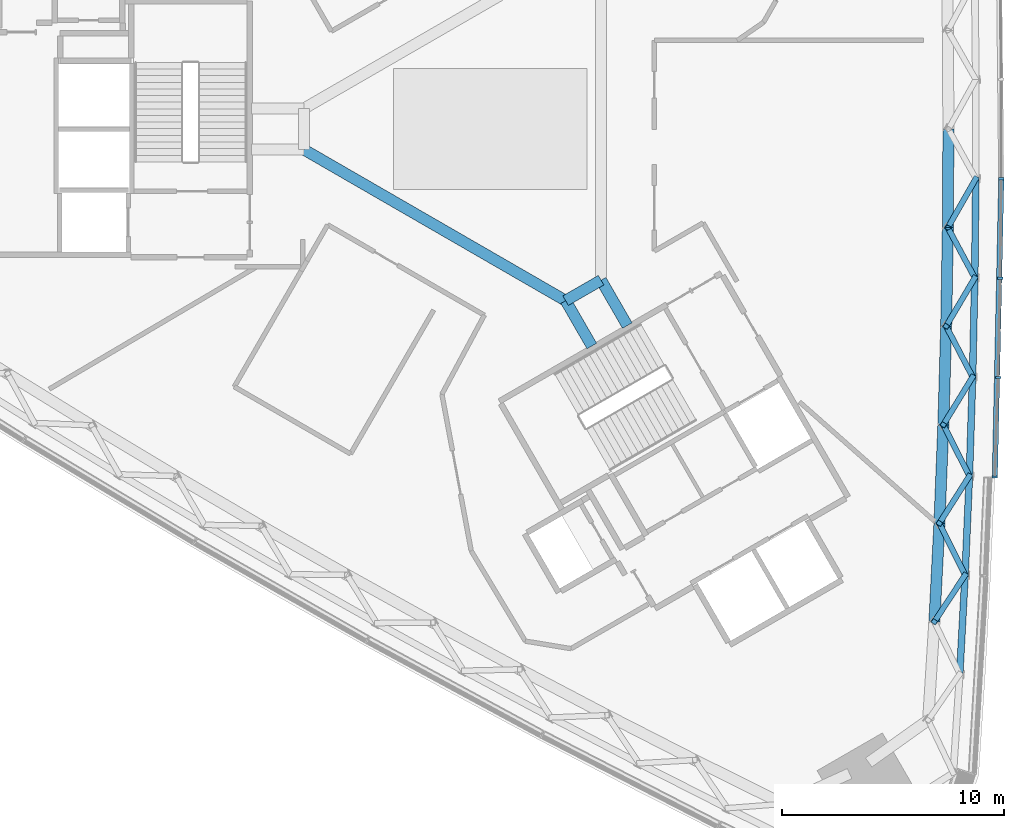
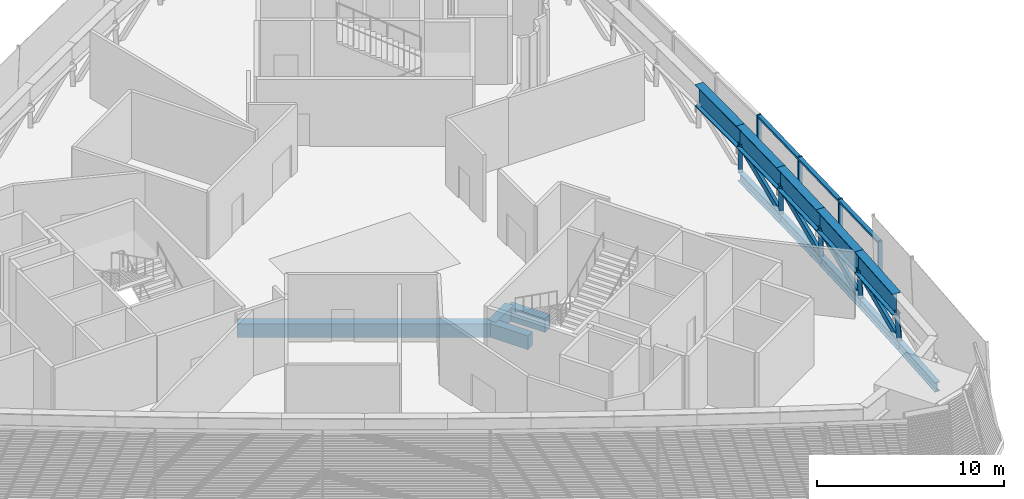
# One storey, part 2 of 19: 14 beams, 14 members, 1 element without a shape of its own.
"""IFC4 building model written with IfcOpenShell, lengths in metres."""

from ifc_helpers import new_model, si_unit, direction, frame, origin, origin_2d, place, context, subcontext, project, spatial, rectangle, hollow_rectangle, i_section, extrude, material, material_profile, profile_set, type_object, element, aggregate, save


model = new_model("IFC4")

# Units and contexts
model_context = context("Model", 3, precision=1e-05, world=origin(), true_north=direction((0.0, 1.0)))
body_context = subcontext(model_context, "Body", "Model", "MODEL_VIEW")
ifc_project = project(units=[si_unit("LENGTHUNIT", "METRE"), si_unit("AREAUNIT", "SQUARE_METRE"), si_unit("VOLUMEUNIT", "CUBIC_METRE"), si_unit("PLANEANGLEUNIT", "RADIAN"), si_unit("MASSUNIT", "GRAM", prefix="KILO")], contexts=[model_context])

# Site, building, storey
site_placement = place(None, origin())
site = spatial("IfcSite", under=ifc_project, at=site_placement, CompositionType="ELEMENT")
building_placement = place(site_placement, origin())
building = spatial("IfcBuilding", under=site, at=building_placement, Name="Tamra Quay Hotel Tower", CompositionType="ELEMENT")
storey_placement = place(building_placement, frame((0.0, 0.0, 74.60009765625)))
storey = spatial("IfcBuildingStorey", under=building, at=storey_placement, Name="L17", CompositionType="ELEMENT", Elevation=74.60009765625)

# Beams
ifc_material_1 = material(Name="Concrete M60", Category="concrete")
ifc_material_profile_1 = material_profile(ifc_material_1, rectangle(XDim=0.5, YDim=0.89990234375, at=origin_2d()), Name="ATRIUM EDGE BEAM RC 500x900")
ifc_profile_set_1 = profile_set([ifc_material_profile_1], Name="Concrete M60")
beam_type_1 = type_object("IfcBeamType", Name="ATRIUM EDGE BEAM RC 500x900", PredefinedType="BEAM", material=ifc_profile_set_1)
beam_1_placement = place(storey_placement, frame((5.0, -6.812744140625, -0.85009765625), z_axis=(-0.86602275259, -0.500004591975, 0.0), x_axis=(0.500004591975, -0.86602275259, 0.0)))
element("IfcBeam", 1, at=beam_1_placement, inside=storey, type_object=beam_type_1, Name="BM-AB1-L17", PredefinedType="BEAM", context=body_context, shape_type="SweptSolid", body=[
    extrude(rectangle(XDim=0.5, YDim=0.89990234375, at=origin_2d()), origin(), (0.0, 0.0, 1.0), 1.84765625),
])
beam_2_placement = place(storey_placement, frame((3.39990234375, -7.736572265625, -0.85009765625), z_axis=(-0.866021471679, 0.500006810544, 0.0), x_axis=(-0.500006810544, -0.866021471679, 0.0)))
element("IfcBeam", 2, at=beam_2_placement, inside=storey, type_object=beam_type_1, Name="BM-AB2-L17", PredefinedType="BEAM", context=body_context, shape_type="SweptSolid", body=[
    extrude(rectangle(XDim=0.5, YDim=0.89990234375, at=origin_2d()), origin(), (0.0, 0.0, 1.0), 13.625244140625),
])
ifc_material_profile_2 = material_profile(ifc_material_1, rectangle(XDim=0.5, YDim=0.89990234375, at=origin_2d()), Name="ATRIUM TIE BEAM RC 500x900")
ifc_profile_set_2 = profile_set([ifc_material_profile_2], Name="Concrete M60")
beam_type_2 = type_object("IfcBeamType", Name="ATRIUM TIE BEAM RC 500x900", PredefinedType="BEAM", material=ifc_profile_set_2)
for number, where, z_axis, x_axis, name in (
    (3, (5.0, -6.812744140625, -0.85009765625), (0.500029618126, -0.866008303076, 0.0), (0.866008303076, 0.500029618126, 0.0), "BM-TIE-1-L17"),
    (4, (3.39990234375, -7.736572265625, -0.85009765625), (0.500029618126, -0.866008303076, 0.0), (0.866008303076, 0.500029618126, 0.0), "BM-TIE-2-L17"),
):
    element("IfcBeam", number, at=place(storey_placement, frame(where, z_axis=z_axis, x_axis=x_axis)), inside=storey, type_object=beam_type_2, Name=name, PredefinedType="BEAM", context=body_context, shape_type="SweptSolid", body=[
        extrude(rectangle(XDim=0.5, YDim=0.89990234375, at=origin_2d()), origin(), (0.0, 0.0, 1.0), 2.362060546875),
    ])

# Members
ifc_material_2 = material(Name="Structural steel IS 2062 E350", Category="steel")
ifc_material_profile_3 = material_profile(ifc_material_2, hollow_rectangle(XDim=0.25, YDim=0.25, WallThickness=0.010009765625, at=origin_2d()), Name="SHS 250x250x10")
ifc_profile_set_3 = profile_set([ifc_material_profile_3], Name="Structural steel IS 2062 E350")
member_type_1 = type_object("IfcMemberType", Name="BELT BRACE SHS 250x250x10 Z1", PredefinedType="BRACE", material=ifc_profile_set_3)
member_1_placement = place(storey_placement, frame((21.410400390625, -20.10888671875, -0.400146484375), z_axis=(-0.319796440326, -0.485470719543, 0.813663577421), x_axis=(0.835094837295, -0.550106001352, 0.0)))
element("IfcMember", 5, at=member_1_placement, inside=storey, type_object=member_type_1, Name="BR-L17-003", PredefinedType="BRACE", context=body_context, shape_type="SweptSolid", body=[
    extrude(hollow_rectangle(XDim=0.25, YDim=0.25, WallThickness=0.010009765625, at=origin_2d()), origin(), (0.0, 0.0, 1.0), 4.33251953125),
])
member_2_placement = place(storey_placement, frame((21.410400390625, -20.10888671875, -0.400146484375), z_axis=(-0.264005093933, 0.532743457848, 0.804043356106), x_axis=(-0.896013686548, -0.444026433357, 0.0)))
element("IfcMember", 6, at=member_2_placement, inside=storey, type_object=member_type_1, Name="BR-L17-004", PredefinedType="BRACE", context=body_context, shape_type="SweptSolid", body=[
    extrude(hollow_rectangle(XDim=0.25, YDim=0.25, WallThickness=0.010009765625, at=origin_2d()), origin(), (0.0, 0.0, 1.0), 4.38427734375),
])
member_3_placement = place(storey_placement, frame((21.60400390625, -15.642578125, -0.400146484375), z_axis=(-0.311671830578, -0.491499831126, 0.81319652362), x_axis=(0.844517118133, -0.535528558697, 0.0)))
element("IfcMember", 7, at=member_3_placement, inside=storey, type_object=member_type_1, Name="BR-L17-005", PredefinedType="BRACE", context=body_context, shape_type="SweptSolid", body=[
    extrude(hollow_rectangle(XDim=0.25, YDim=0.25, WallThickness=0.010009765625, at=origin_2d()), origin(), (0.0, 0.0, 1.0), 4.3349609375),
])
member_4_placement = place(storey_placement, frame((21.60400390625, -15.642578125, -0.400146484375), z_axis=(-0.268226137414, 0.528138213153, 0.805682795532), x_axis=(-0.891602412155, -0.452819101451, 0.0)))
element("IfcMember", 8, at=member_4_placement, inside=storey, type_object=member_type_1, Name="BR-L17-006", PredefinedType="BRACE", context=body_context, shape_type="SweptSolid", body=[
    extrude(hollow_rectangle(XDim=0.25, YDim=0.25, WallThickness=0.010009765625, at=origin_2d()), origin(), (0.0, 0.0, 1.0), 4.375244140625),
])
member_5_placement = place(storey_placement, frame((21.7490234375, -11.17431640625, -0.400146484375), z_axis=(-0.303951163752, -0.497318354763, 0.812581161528), x_axis=(0.853255578319, -0.521492970295, 0.0)))
element("IfcMember", 9, at=member_5_placement, inside=storey, type_object=member_type_1, Name="BR-L17-007", PredefinedType="BRACE", context=body_context, shape_type="SweptSolid", body=[
    extrude(hollow_rectangle(XDim=0.25, YDim=0.25, WallThickness=0.010009765625, at=origin_2d()), origin(), (0.0, 0.0, 1.0), 4.338134765625),
])
member_6_placement = place(storey_placement, frame((21.7490234375, -11.17431640625, -0.400146484375), z_axis=(-0.272882971631, 0.523347161941, 0.807243849083), x_axis=(-0.88670135679, -0.462342626054, 0.0)))
element("IfcMember", 10, at=member_6_placement, inside=storey, type_object=member_type_1, Name="BR-L17-008", PredefinedType="BRACE", context=body_context, shape_type="SweptSolid", body=[
    extrude(hollow_rectangle(XDim=0.25, YDim=0.25, WallThickness=0.010009765625, at=origin_2d()), origin(), (0.0, 0.0, 1.0), 4.366943359375),
])
member_7_placement = place(storey_placement, frame((21.845947265625, -6.70556640625, -0.400146484375), z_axis=(-0.296760826542, -0.50282911553, 0.811847210012), x_axis=(0.861200552593, -0.508265293144, 0.0)))
element("IfcMember", 11, at=member_7_placement, inside=storey, type_object=member_type_1, Name="BR-L17-009", PredefinedType="BRACE", context=body_context, shape_type="SweptSolid", body=[
    extrude(hollow_rectangle(XDim=0.25, YDim=0.25, WallThickness=0.010009765625, at=origin_2d()), origin(), (0.0, 0.0, 1.0), 4.342041015625),
])
member_8_placement = place(storey_placement, frame((21.845947265625, -6.70556640625, -0.400146484375), z_axis=(-0.278089055665, 0.518547051038, 0.808563808848), x_axis=(-0.881270491387, -0.472612231126, 0.0)))
element("IfcMember", 12, at=member_8_placement, inside=storey, type_object=member_type_1, Name="BR-L17-010", PredefinedType="BRACE", context=body_context, shape_type="SweptSolid", body=[
    extrude(hollow_rectangle(XDim=0.25, YDim=0.25, WallThickness=0.010009765625, at=origin_2d()), origin(), (0.0, 0.0, 1.0), 4.35986328125),
])
member_9_placement = place(storey_placement, frame((21.894287109375, -2.2353515625, -0.400146484375), z_axis=(-0.29001438183, -0.50825525863, 0.810905820923), x_axis=(0.868550087417, -0.495601397947, 0.0)))
element("IfcMember", 13, at=member_9_placement, inside=storey, type_object=member_type_1, Name="BR-L17-011", PredefinedType="BRACE", context=body_context, shape_type="SweptSolid", body=[
    extrude(hollow_rectangle(XDim=0.25, YDim=0.25, WallThickness=0.010009765625, at=origin_2d()), origin(), (0.0, 0.0, 1.0), 4.34716796875),
])

# Beams
ifc_material_profile_4 = material_profile(ifc_material_2, i_section(OverallWidth=0.304931640625, OverallDepth=0.6201171875, WebThickness=0.02099609375, FlangeThickness=0.0400390625, at=origin_2d()), Name="WPB 600x300x285")
ifc_profile_set_4 = profile_set([ifc_material_profile_4], Name="Structural steel IS 2062 E350")
beam_type_3 = type_object("IfcBeamType", Name="BELT CHORD WPB 600x300x285 Z1", PredefinedType="BEAM", material=ifc_profile_set_4)
beam_3_placement = place(storey_placement, frame((21.168701171875, -24.572509765625, -0.710205078125), z_axis=(0.054069452794, 0.998537177212, 0.0), x_axis=(-0.998537177212, 0.054069452794, 0.0)))
element("IfcBeam", 14, at=beam_3_placement, inside=storey, type_object=beam_type_3, Name="BM-CHB-L17-001", PredefinedType="BEAM", context=body_context, shape_type="SweptSolid", body=[
    extrude(i_section(OverallWidth=0.304931640625, OverallDepth=0.6201171875, WebThickness=0.02099609375, FlangeThickness=0.0400390625, at=origin_2d()), origin(), (0.0, 0.0, 1.0), 4.47021484375),
])
beam_4_placement = place(storey_placement, frame((21.410400390625, -20.10888671875, -0.710205078125), z_axis=(0.043306877716, 0.999061817078, 0.0), x_axis=(-0.999061817078, 0.043306877716, 0.0)))
element("IfcBeam", 15, at=beam_4_placement, inside=storey, type_object=beam_type_3, Name="BM-CHB-L17-002", PredefinedType="BEAM", context=body_context, shape_type="SweptSolid", body=[
    extrude(i_section(OverallWidth=0.304931640625, OverallDepth=0.6201171875, WebThickness=0.02099609375, FlangeThickness=0.0400390625, at=origin_2d()), origin(), (0.0, 0.0, 1.0), 4.470458984375),
])
beam_5_placement = place(storey_placement, frame((21.60400390625, -15.642578125, -0.710205078125), z_axis=(0.032438389234, 0.999473736976, 0.0), x_axis=(-0.999473736976, 0.032438389234, 0.0)))
element("IfcBeam", 16, at=beam_5_placement, inside=storey, type_object=beam_type_3, Name="BM-CHB-L17-003", PredefinedType="BEAM", context=body_context, shape_type="SweptSolid", body=[
    extrude(i_section(OverallWidth=0.304931640625, OverallDepth=0.6201171875, WebThickness=0.02099609375, FlangeThickness=0.0400390625, at=origin_2d()), origin(), (0.0, 0.0, 1.0), 4.470703125),
])
beam_6_placement = place(storey_placement, frame((21.7490234375, -11.17431640625, -0.710205078125), z_axis=(0.021684148485, 0.999764871209, 0.0), x_axis=(-0.999764871209, 0.021684148485, 0.0)))
element("IfcBeam", 17, at=beam_6_placement, inside=storey, type_object=beam_type_3, Name="BM-CHB-L17-004", PredefinedType="BEAM", context=body_context, shape_type="SweptSolid", body=[
    extrude(i_section(OverallWidth=0.304931640625, OverallDepth=0.6201171875, WebThickness=0.02099609375, FlangeThickness=0.0400390625, at=origin_2d()), origin(), (0.0, 0.0, 1.0), 4.4697265625),
])
beam_7_placement = place(storey_placement, frame((21.845947265625, -6.70556640625, -0.710205078125), z_axis=(0.010813130759, 0.999941536393, 0.0), x_axis=(-0.999941536393, 0.010813130759, 0.0)))
element("IfcBeam", 18, at=beam_7_placement, inside=storey, type_object=beam_type_3, Name="BM-CHB-L17-005", PredefinedType="BEAM", context=body_context, shape_type="SweptSolid", body=[
    extrude(i_section(OverallWidth=0.304931640625, OverallDepth=0.6201171875, WebThickness=0.02099609375, FlangeThickness=0.0400390625, at=origin_2d()), origin(), (0.0, 0.0, 1.0), 4.470458984375),
])
ifc_material_profile_5 = material_profile(ifc_material_2, i_section(OverallWidth=0.5, OverallDepth=1.39990234375, WebThickness=0.02490234375, FlangeThickness=0.050048828125, at=origin_2d()), Name="WPG 1400x500x25x50")
ifc_profile_set_5 = profile_set([ifc_material_profile_5], Name="Structural steel IS 2062 E350")
beam_type_4 = type_object("IfcBeamType", Name="BELT TOP CHORD WPG 1400x500x25x50 Z1", PredefinedType="USERDEFINED", material=ifc_profile_set_5)
beam_8_placement = place(storey_placement, frame((20.02490234375, -22.212158203125, 3.6748046875), z_axis=(0.051301842631, 0.998683193482, 0.0), x_axis=(-0.998683193482, 0.051301842631, 0.0)))
element("IfcBeam", 19, at=beam_8_placement, inside=storey, type_object=beam_type_4, Name="BM-CHT-L17-001", ObjectType="TRANSFER GIRDER", PredefinedType="USERDEFINED", context=body_context, shape_type="SweptSolid", body=[
    extrude(i_section(OverallWidth=0.5, OverallDepth=1.39990234375, WebThickness=0.02490234375, FlangeThickness=0.050048828125, at=origin_2d()), origin(), (0.0, 0.0, 1.0), 4.44482421875),
])
beam_9_placement = place(storey_placement, frame((20.2529296875, -17.773193359375, 3.6748046875), z_axis=(0.039930748728, 0.99920244961, 0.0), x_axis=(-0.99920244961, 0.039930748728, 0.0)))
element("IfcBeam", 20, at=beam_9_placement, inside=storey, type_object=beam_type_4, Name="BM-CHT-L17-002", ObjectType="TRANSFER GIRDER", PredefinedType="USERDEFINED", context=body_context, shape_type="SweptSolid", body=[
    extrude(i_section(OverallWidth=0.5, OverallDepth=1.39990234375, WebThickness=0.02490234375, FlangeThickness=0.050048828125, at=origin_2d()), origin(), (0.0, 0.0, 1.0), 4.445068359375),
])
beam_10_placement = place(storey_placement, frame((20.430419921875, -13.331787109375, 3.6748046875), z_axis=(0.02856291012, 0.999591996849, 0.0), x_axis=(-0.999591996849, 0.02856291012, 0.0)))
element("IfcBeam", 21, at=beam_10_placement, inside=storey, type_object=beam_type_4, Name="BM-CHT-L17-003", ObjectType="TRANSFER GIRDER", PredefinedType="USERDEFINED", context=body_context, shape_type="SweptSolid", body=[
    extrude(i_section(OverallWidth=0.5, OverallDepth=1.39990234375, WebThickness=0.02490234375, FlangeThickness=0.050048828125, at=origin_2d()), origin(), (0.0, 0.0, 1.0), 4.444580078125),
])
for number, where, z_axis, x_axis, name in (
    (22, (20.557373046875, -8.888916015625, 3.6748046875), (0.017137514712, 0.999853142011, 0.0), (-0.999853142011, 0.017137514712, 0.0), "BM-CHT-L17-004"),
    (23, (20.633544921875, -4.44482421875, 3.6748046875), (0.005712309305, 0.999983684628, 0.0), (-0.999983684628, 0.005712309305, 0.0), "BM-CHT-L17-005"),
):
    element("IfcBeam", number, at=place(storey_placement, frame(where, z_axis=z_axis, x_axis=x_axis)), inside=storey, type_object=beam_type_4, Name=name, ObjectType="TRANSFER GIRDER", PredefinedType="USERDEFINED", context=body_context, shape_type="SweptSolid", body=[
        extrude(i_section(OverallWidth=0.5, OverallDepth=1.39990234375, WebThickness=0.02490234375, FlangeThickness=0.050048828125, at=origin_2d()), origin(), (0.0, 0.0, 1.0), 4.44482421875),
    ])

# Curtain wall, members
ifc_material_3 = material(Name="Aluminium 6063 anodised dark grey", Category="aluminium")
curtain_wall_type = type_object("IfcCurtainWallType", Name="CW1 CURTAIN WALL", PredefinedType="NOTDEFINED", material=ifc_material_3)
curtain_wall_placement = place(storey_placement, origin())
curtain_wall = element("IfcCurtainWall", 24, at=curtain_wall_placement, inside=storey, type_object=curtain_wall_type, Name="CW1 east face L17", PredefinedType="NOTDEFINED")
ifc_material_profile_6 = material_profile(ifc_material_3, rectangle(XDim=0.239990234375, YDim=0.10009765625, at=origin_2d()), Name="MULLION 100X240")
ifc_profile_set_6 = profile_set([ifc_material_profile_6], Name="Aluminium 6063 anodised dark grey")
member_type_2 = type_object("IfcMemberType", Name="MULLION CW1 Z1", PredefinedType="MULLION", material=ifc_profile_set_6)
member_10_placement = place(storey_placement, frame((22.753173828125, -15.68603515625, 0.0), z_axis=(0.0, 0.0, 1.0), x_axis=(0.999282260669, -0.03788091224, 0.0)))
member_10 = element("IfcMember", 25, at=member_10_placement, type_object=member_type_2, Name="CW1 mullion L17.E.1", PredefinedType="MULLION", context=body_context, shape_type="SweptSolid", body=[
    extrude(rectangle(XDim=0.239990234375, YDim=0.10009765625, at=origin_2d()), origin(), (0.0, 0.0, 1.0), 2.875),
])
member_11_placement = place(storey_placement, frame((22.898681640625, -11.205810546875, 0.0), z_axis=(0.0, 0.0, 1.0), x_axis=(0.999633632769, -0.027066588932, 0.0)))
member_11 = element("IfcMember", 26, at=member_11_placement, type_object=member_type_2, Name="CW1 mullion L17.E.2", PredefinedType="MULLION", context=body_context, shape_type="SweptSolid", body=[
    extrude(rectangle(XDim=0.239990234375, YDim=0.10009765625, at=origin_2d()), origin(), (0.0, 0.0, 1.0), 2.875),
])
member_12_placement = place(storey_placement, frame((22.995849609375, -6.723876953125, 0.0), z_axis=(0.0, 0.0, 1.0), x_axis=(0.999868000579, -0.016247504977, 0.0)))
member_12 = element("IfcMember", 27, at=member_12_placement, type_object=member_type_2, Name="CW1 mullion L17.E.3", PredefinedType="MULLION", context=body_context, shape_type="SweptSolid", body=[
    extrude(rectangle(XDim=0.239990234375, YDim=0.10009765625, at=origin_2d()), origin(), (0.0, 0.0, 1.0), 2.875),
])
member_13_placement = place(storey_placement, frame((23.04443359375, -2.241455078125, 0.0), z_axis=(0.0, 0.0, 1.0), x_axis=(0.999985320124, -0.005418444037, 0.0)))
member_13 = element("IfcMember", 28, at=member_13_placement, type_object=member_type_2, Name="CW1 mullion L17.E.4", PredefinedType="MULLION", context=body_context, shape_type="SweptSolid", body=[
    extrude(rectangle(XDim=0.239990234375, YDim=0.10009765625, at=origin_2d()), origin(), (0.0, 0.0, 1.0), 2.875),
])
ifc_material_profile_7 = material_profile(ifc_material_3, rectangle(XDim=0.239990234375, YDim=0.139892578125, at=origin_2d()), Name="TRANSOM 240X140")
ifc_profile_set_7 = profile_set([ifc_material_profile_7], Name="Aluminium 6063 anodised dark grey")
member_type_3 = type_object("IfcMemberType", Name="TRANSOM CW1 Z1", PredefinedType="USERDEFINED", material=ifc_profile_set_7)
member_14_placement = place(storey_placement, frame((22.754638671875, -15.63623046875, 2.804931640625), z_axis=(0.021655702192, 0.999765487783, 0.0), x_axis=(-0.999765487783, 0.021655702192, 0.0)))
member_14 = element("IfcMember", 29, at=member_14_placement, type_object=member_type_3, Name="CW1 transom L17.E.1", ObjectType="TRANSOM", PredefinedType="USERDEFINED", context=body_context, shape_type="SweptSolid", body=[
    extrude(rectangle(XDim=0.239990234375, YDim=0.139892578125, at=origin_2d()), origin(), (0.0, 0.0, 1.0), 13.34814453125),
])
aggregate(curtain_wall, [member_10, member_14, member_11, member_12, member_13])

save(model, "model.ifc")
